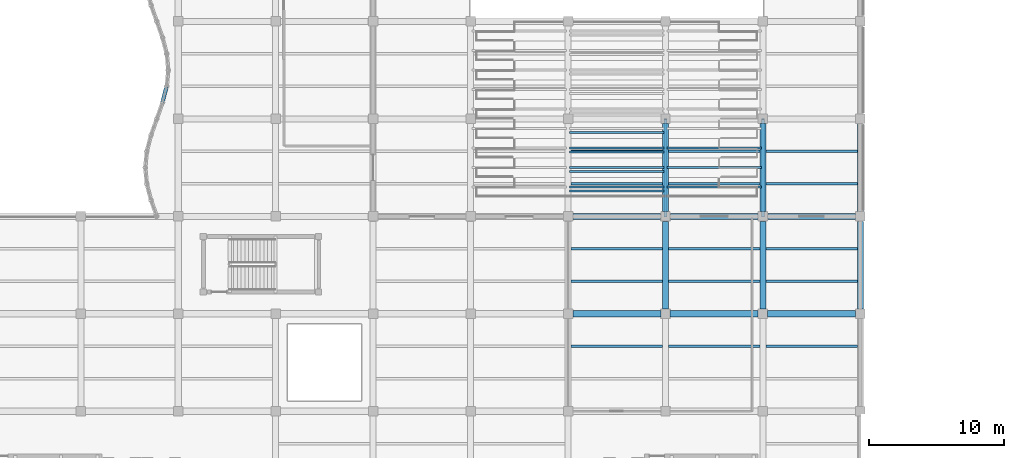
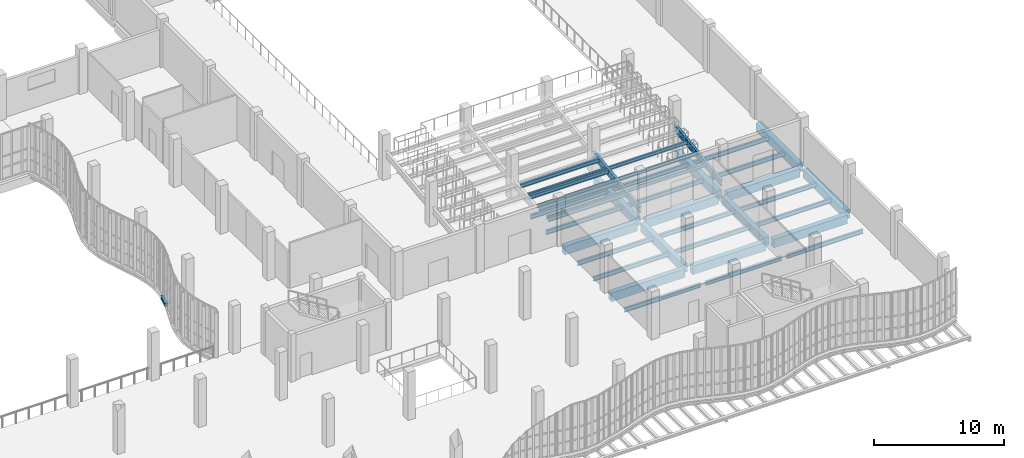
# One storey, part 40 of 108: 40 beams.
"""IFC4 building model written with IfcOpenShell, lengths in metres."""

import ifcopenshell
import ifcopenshell.guid

model = None  # the IFC model being written
_history = None  # IfcOwnerHistory: only IFC2X3 demands one
_inside = {}  # id of a spatial element -> (the spatial element, [elements in it])
_under = {}  # id of a project, library or spatial element -> (it, [spatial elements below it])
_declared = {}  # id of a project -> (the project, [libraries it declares])
_typed = {}  # id of a type object -> (the type object, [elements of that type])
_made_of = {}  # id of a material, layer set ... -> (it, [elements and type objects made of it])


def new_model(schema):
    """Start an empty IFC model of exactly this schema.

    Asked for "IFC4X3", IfcOpenShell would pick the latest addendum, in which some entities
    have other attributes; the version numbers below select the first issue.
    IFC2X3 requires an IfcOwnerHistory on every rooted entity: one is made here for all.
    """
    global model, _history
    if schema == "IFC4X3":
        model = ifcopenshell.file(schema_version=(4, 3, 0, 0))
    else:
        model = ifcopenshell.file(schema=schema)
    _inside.clear()
    _under.clear()
    _declared.clear()
    _typed.clear()
    _made_of.clear()
    _history = None
    if model.schema == "IFC2X3":
        org = make("IfcOrganization", Name="unknown")
        user = make(
            "IfcPersonAndOrganization",
            ThePerson=make("IfcPerson", FamilyName="unknown"),
            TheOrganization=org,
        )
        app = make(
            "IfcApplication",
            ApplicationDeveloper=org,
            Version="unknown",
            ApplicationFullName="unknown",
            ApplicationIdentifier="unknown",
        )
        _history = make(
            "IfcOwnerHistory",
            OwningUser=user,
            OwningApplication=app,
            ChangeAction="ADDED",
            CreationDate=0,
        )
    return model


def make(cls, **values):
    """One entity of the class cls with the attributes given. An attribute that is None is left unset."""
    return model.create_entity(
        cls, **{name: value for name, value in values.items() if value is not None}
    )


def rooted(cls, **values):
    """An entity with a GlobalId (a new one), such as an element, a storey or a relation."""
    return make(cls, GlobalId=ifcopenshell.guid.new(), OwnerHistory=_history, **values)


def si_unit(unit_type, name, prefix=None):
    """IfcSIUnit, for example si_unit("LENGTHUNIT", "METRE", prefix="MILLI")."""
    return make("IfcSIUnit", UnitType=unit_type, Prefix=prefix, Name=name)


def assignment(units):
    """IfcUnitAssignment: the units of a project."""
    return None if units is None else make("IfcUnitAssignment", Units=units)


def point(xyz):
    """IfcCartesianPoint."""
    return None if xyz is None else make("IfcCartesianPoint", Coordinates=xyz)


def direction(xyz):
    """IfcDirection."""
    return None if xyz is None else make("IfcDirection", DirectionRatios=xyz)


def frame(location, z_axis=None, x_axis=None):
    """IfcAxis2Placement3D, a coordinate frame: its origin and axes. An axis left out is left unset."""
    return make(
        "IfcAxis2Placement3D",
        Location=point(location),
        Axis=direction(z_axis),
        RefDirection=direction(x_axis),
    )


def frame_2d(location, x_axis=None):
    """IfcAxis2Placement2D, a coordinate frame in the plane: its origin and x axis."""
    return make(
        "IfcAxis2Placement2D", Location=point(location), RefDirection=direction(x_axis)
    )


def origin():
    """The frame at (0, 0, 0) with its axes left unset."""
    return frame((0.0, 0.0, 0.0))


def origin_2d():
    """The frame at (0, 0) in the plane with its x axis left unset."""
    return frame_2d((0.0, 0.0))


def place(relative_to, where):
    """IfcLocalPlacement: puts the frame where relative to a parent placement (None: the world)."""
    return make(
        "IfcLocalPlacement", PlacementRelTo=relative_to, RelativePlacement=where
    )


def context(
    kind, dimensions, precision=None, world=None, true_north=None, identifier=None
):
    """IfcGeometricRepresentationContext, for example the 3D "Model" context."""
    return make(
        "IfcGeometricRepresentationContext",
        ContextIdentifier=identifier,
        ContextType=kind,
        CoordinateSpaceDimension=dimensions,
        Precision=precision,
        WorldCoordinateSystem=world,
        TrueNorth=true_north,
    )


def subcontext(parent, identifier, kind, view, scale=None):
    """IfcGeometricRepresentationSubContext, for example "Body" below "Model"."""
    return make(
        "IfcGeometricRepresentationSubContext",
        ContextIdentifier=identifier,
        ContextType=kind,
        ParentContext=parent,
        TargetScale=scale,
        TargetView=view,
    )


def project(units=None, contexts=None):
    """IfcProject with its units and contexts."""
    return rooted(
        "IfcProject",
        Name="project",
        RepresentationContexts=contexts,
        UnitsInContext=assignment(units),
    )


def spatial(cls, under=None, at=None, **own):
    """A site, building, storey or space (cls), placed at a placement, below another one or the project."""
    s = rooted(cls, ObjectPlacement=at, **own)
    if under is not None:
        _under.setdefault(under.id(), (under, []))[1].append(s)
    return s


def profile(cls, at=None, kind="AREA", **sizes):
    """A parametric profile (cls). Its sizes go by their IFC names, for example OverallWidth=200.0."""
    return make(cls, ProfileType=kind, Position=at, **sizes)


def rectangle(**sizes):
    """IfcRectangleProfileDef."""
    return profile("IfcRectangleProfileDef", **sizes)


def i_section(**sizes):
    """IfcIShapeProfileDef."""
    return profile("IfcIShapeProfileDef", **sizes)


def extrude(swept, where, along, depth):
    """IfcExtrudedAreaSolid: the profile swept, set in the frame where, extruded along a direction by depth."""
    return make(
        "IfcExtrudedAreaSolid",
        SweptArea=swept,
        Position=where,
        ExtrudedDirection=direction(along),
        Depth=depth,
    )


def shape(context_of_items, identifier, shape_type, items):
    """IfcShapeRepresentation: the items that make up one representation, for example the "Body"."""
    return make(
        "IfcShapeRepresentation",
        ContextOfItems=context_of_items,
        RepresentationIdentifier=identifier,
        RepresentationType=shape_type,
        Items=items,
    )


def material(Name=None, Category=None):
    """IfcMaterial."""
    return make("IfcMaterial", Name=Name, Category=Category)


def material_profile(
    of_material, cross_section, Name=None, Category=None, Priority=None
):
    """IfcMaterialProfile: a cross section and its material."""
    return make(
        "IfcMaterialProfile",
        Name=Name,
        Material=of_material,
        Profile=cross_section,
        Priority=Priority,
        Category=Category,
    )


def profile_set(profiles, Name=None, composite=None):
    """IfcMaterialProfileSet."""
    return make(
        "IfcMaterialProfileSet",
        Name=Name,
        MaterialProfiles=profiles,
        CompositeProfile=composite,
    )


def made_of(thing, what):
    """Note that an element or type object is made of a material, layer set ...; save() writes the relation."""
    if what is not None:
        _made_of.setdefault(what.id(), (what, []))[1].append(thing)
    return thing


def type_object(cls, material=None, **own):
    """A type object (cls), such as IfcWallType, which elements share."""
    return made_of(rooted(cls, **own), material)


def element(
    cls,
    number,
    at=None,
    inside=None,
    cuts=None,
    type_object=None,
    material=None,
    context=None,
    identifier="Body",
    shape_type=None,
    held_by="IfcProductDefinitionShape",
    body=None,
    shapes=None,
    **own,
):
    """One element of the class cls, such as IfcWall. Its Tag is "e" and its number.

    at: its placement. inside: the storey or other place that contains it. cuts: it is an
    opening in that element (IfcRelVoidsElement). A single representation is given by context,
    identifier, shape_type and body (its items); several are given by shapes. held_by: the class
    of the entity that holds the representations. save() writes the other relations.
    """
    e = rooted(cls, Tag="e%d" % number, ObjectPlacement=at, **own)
    if body is not None:
        shapes = [shape(context, identifier, shape_type, body)]
    if shapes is not None:
        e.Representation = make(held_by, Representations=shapes)
    if inside is not None:
        _inside.setdefault(inside.id(), (inside, []))[1].append(e)
    if cuts is not None:
        rooted(
            "IfcRelVoidsElement", RelatingBuildingElement=cuts, RelatedOpeningElement=e
        )
    if type_object is not None:
        _typed.setdefault(type_object.id(), (type_object, []))[1].append(e)
    return made_of(e, material)


def aggregate(whole, parts):
    """IfcRelAggregates: a whole, such as a stair, and the parts it consists of."""
    return rooted("IfcRelAggregates", RelatingObject=whole, RelatedObjects=parts)


def save(model, path):
    """Write the relations noted so far, then the file.

    IfcRelAggregates (storeys below a building ...), IfcRelContainedInSpatialStructure (elements
    in a storey), IfcRelDefinesByType, IfcRelAssociatesMaterial and IfcRelDeclares: one each for
    every whole, place, type object, material and project.
    """
    for whole, parts in _under.values():
        aggregate(whole, parts)
    for where, things in _inside.values():
        rooted(
            "IfcRelContainedInSpatialStructure",
            RelatedElements=things,
            RelatingStructure=where,
        )
    for kind, things in _typed.values():
        rooted("IfcRelDefinesByType", RelatedObjects=things, RelatingType=kind)
    for what, things in _made_of.values():
        rooted("IfcRelAssociatesMaterial", RelatedObjects=things, RelatingMaterial=what)
    for by, libraries in _declared.values():
        rooted("IfcRelDeclares", RelatingContext=by, RelatedDefinitions=libraries)
    model.write(path)


model = new_model("IFC4")

# Units and contexts
model_context = context("Model", 3, precision=1e-05, world=origin(), true_north=direction((0.0, 1.0)))
body_context = subcontext(model_context, "Body", "Model", "MODEL_VIEW")
ifc_project = project(units=[si_unit("LENGTHUNIT", "METRE"), si_unit("AREAUNIT", "SQUARE_METRE"), si_unit("VOLUMEUNIT", "CUBIC_METRE"), si_unit("PLANEANGLEUNIT", "RADIAN"), si_unit("MASSUNIT", "GRAM", prefix="KILO"), si_unit("THERMODYNAMICTEMPERATUREUNIT", "KELVIN"), si_unit("POWERUNIT", "WATT")], contexts=[model_context])

# Site, building, storey
site_placement = place(None, origin())
site = spatial("IfcSite", under=ifc_project, at=site_placement, CompositionType="ELEMENT")
building_placement = place(site_placement, origin())
building = spatial("IfcBuilding", under=site, at=building_placement, Name="Kaldorven Railside Theatre", CompositionType="ELEMENT")
storey_placement = place(building_placement, frame((0.0, 0.0, 5.39990234375)))
storey = spatial("IfcBuildingStorey", under=building, at=storey_placement, Name="L01", CompositionType="ELEMENT", Elevation=5.39990234375)

# Beams
ifc_material_1 = material(Name="Steel S355", Category="steel")
ifc_material_profile_1 = material_profile(ifc_material_1, i_section(OverallWidth=0.280029296875, OverallDepth=0.280029296875, WebThickness=0.010498046875, FlangeThickness=0.01806640625, at=origin_2d()), Name="HEB 280")
ifc_profile_set_1 = profile_set([ifc_material_profile_1], Name="Steel S355")
beam_type_1 = type_object("IfcBeamType", Name="BM-HEB280", PredefinedType="SPANDREL", material=ifc_profile_set_1)
beam_1_placement = place(storey_placement, frame((71.62890625, 49.214599609375, -0.419921875), z_axis=(0.250885106576, 0.968016871391, 0.0), x_axis=(-0.968016871391, 0.250885106576, 0.0)))
element("IfcBeam", 1, at=beam_1_placement, inside=storey, type_object=beam_type_1, Name="L01 Sinusoidal Flute Edge Spandrel FSB-224", PredefinedType="SPANDREL", context=body_context, shape_type="SweptSolid", body=[
    extrude(i_section(OverallWidth=0.280029296875, OverallDepth=0.280029296875, WebThickness=0.010498046875, FlangeThickness=0.01806640625, at=origin_2d()), origin(), (0.0, 0.0, 1.0), 1.20947265625),
])
ifc_material_profile_2 = material_profile(ifc_material_1, i_section(OverallWidth=0.14990234375, OverallDepth=0.300048828125, WebThickness=0.007080078125, FlangeThickness=0.0107421875, at=origin_2d()), Name="IPE 300")
ifc_profile_set_2 = profile_set([ifc_material_profile_2], Name="Steel S355")
beam_type_2 = type_object("IfcBeamType", Name="BM-IPE300", PredefinedType="JOIST", material=ifc_profile_set_2)
for number, where, z_axis, x_axis, name in (
    (2, (101.7099609375, 42.9599609375, 1.080078125), (1.0, 0.0, 0.0), (0.0, 1.0, 0.0), "Seating Tier Transverse Bearer TBR-V1D-022"),
    (3, (108.909912109375, 42.9599609375, 1.080078125), (1.0, 0.0, 0.0), (0.0, 1.0, 0.0), "Seating Tier Transverse Bearer TBR-V1D-023"),
    (4, (101.7099609375, 44.39990234375, 1.260009765625), (1.0, 0.0, 0.0), (0.0, 1.0, 0.0), "Seating Tier Transverse Bearer TBR-V1D-032"),
    (5, (108.909912109375, 44.39990234375, 1.260009765625), (1.0, 0.0, 0.0), (0.0, 1.0, 0.0), "Seating Tier Transverse Bearer TBR-V1D-033"),
    (6, (101.7099609375, 45.840087890625, 1.440185546875), (1.0, 0.0, 0.0), (0.0, 1.0, 0.0), "Seating Tier Transverse Bearer TBR-V1D-042"),
    (7, (108.909912109375, 45.840087890625, 1.440185546875), (1.0, 0.0, 0.0), (0.0, 1.0, 0.0), "Seating Tier Transverse Bearer TBR-V1D-043"),
):
    element("IfcBeam", number, at=place(storey_placement, frame(where, z_axis=z_axis, x_axis=x_axis)), inside=storey, type_object=beam_type_2, Name=name, PredefinedType="JOIST", context=body_context, shape_type="SweptSolid", body=[
        extrude(i_section(OverallWidth=0.14990234375, OverallDepth=0.300048828125, WebThickness=0.007080078125, FlangeThickness=0.0107421875, at=origin_2d()), origin(), (0.0, 0.0, 1.0), 6.97998046875),
    ])
ifc_material_profile_3 = material_profile(ifc_material_1, i_section(OverallWidth=0.169921875, OverallDepth=0.360107421875, WebThickness=0.008056640625, FlangeThickness=0.0126953125, at=origin_2d()), Name="IPE 360")
ifc_profile_set_3 = profile_set([ifc_material_profile_3], Name="Steel S355")
beam_type_3 = type_object("IfcBeamType", Name="BM-IPE360", PredefinedType="JOIST", material=ifc_profile_set_3)
for number, where, z_axis, x_axis, name in (
    (8, (101.7099609375, 42.672119140625, 1.050048828125), (1.0, 0.0, 0.0), (0.0, 1.0, 0.0), "Seating Tier Front Step Bearer TBF-V1D-02"),
    (9, (101.7099609375, 44.112060546875, 1.22998046875), (1.0, 0.0, 0.0), (0.0, 1.0, 0.0), "Seating Tier Front Step Bearer TBF-V1D-03"),
    (10, (101.7099609375, 45.552001953125, 1.41015625), (1.0, 0.0, 0.0), (0.0, 1.0, 0.0), "Seating Tier Front Step Bearer TBF-V1D-04"),
    (11, (101.7099609375, 46.991943359375, 1.590087890625), (1.0, 0.0, 0.0), (0.0, 1.0, 0.0), "Seating Tier Front Step Bearer TBF-V1D-05"),
):
    element("IfcBeam", number, at=place(storey_placement, frame(where, z_axis=z_axis, x_axis=x_axis)), inside=storey, type_object=beam_type_3, Name=name, PredefinedType="JOIST", context=body_context, shape_type="SweptSolid", body=[
        extrude(i_section(OverallWidth=0.169921875, OverallDepth=0.360107421875, WebThickness=0.008056640625, FlangeThickness=0.0126953125, at=origin_2d()), origin(), (0.0, 0.0, 1.0), 6.97998046875),
    ])
ifc_material_profile_4 = material_profile(ifc_material_1, i_section(OverallWidth=0.179931640625, OverallDepth=0.39990234375, WebThickness=0.008544921875, FlangeThickness=0.013427734375, at=origin_2d()), Name="IPE 400")
ifc_profile_set_4 = profile_set([ifc_material_profile_4], Name="Steel S355")
beam_type_4 = type_object("IfcBeamType", Name="BM-IPE400", PredefinedType="JOIST", material=ifc_profile_set_4)
for number, where, z_axis, x_axis, name in (
    (12, (101.824951171875, 31.199951171875, -0.5), (1.0, 0.0, 0.0), (0.0, 1.0, 0.0), "L01 Secondary Floor Joist JG-L01-101-0312"),
    (13, (109.02490234375, 31.199951171875, -0.5), (1.0, 0.0, 0.0), (0.0, 1.0, 0.0), "L01 Secondary Floor Joist JG-L01-108-0312"),
    (14, (116.22509765625, 31.199951171875, -0.5), (1.0, 0.0, 0.0), (0.0, 1.0, 0.0), "L01 Secondary Floor Joist JG-L01-116-0312"),
    (15, (101.824951171875, 36.0, -0.5), (1.0, 0.0, 0.0), (0.0, 1.0, 0.0), "L01 Secondary Floor Joist JG-L01-101-0360"),
    (16, (101.824951171875, 38.39990234375, -0.5), (1.0, 0.0, 0.0), (0.0, 1.0, 0.0), "L01 Secondary Floor Joist JG-L01-101-0384"),
    (17, (109.02490234375, 36.0, -0.5), (1.0, 0.0, 0.0), (0.0, 1.0, 0.0), "L01 Secondary Floor Joist JG-L01-108-0360"),
    (18, (109.02490234375, 38.39990234375, -0.5), (1.0, 0.0, 0.0), (0.0, 1.0, 0.0), "L01 Secondary Floor Joist JG-L01-108-0384"),
    (19, (116.22509765625, 36.0, -0.5), (1.0, 0.0, 0.0), (0.0, 1.0, 0.0), "L01 Secondary Floor Joist JG-L01-116-0360"),
    (20, (116.22509765625, 38.39990234375, -0.5), (1.0, 0.0, 0.0), (0.0, 1.0, 0.0), "L01 Secondary Floor Joist JG-L01-116-0384"),
    (21, (101.824951171875, 43.199951171875, -0.5), (1.0, 0.0, 0.0), (0.0, 1.0, 0.0), "L01 Secondary Floor Joist JG-L01-101-0432"),
    (22, (101.824951171875, 45.60009765625, -0.5), (1.0, 0.0, 0.0), (0.0, 1.0, 0.0), "L01 Secondary Floor Joist JG-L01-101-0456"),
    (23, (109.02490234375, 43.199951171875, -0.5), (1.0, 0.0, 0.0), (0.0, 1.0, 0.0), "L01 Secondary Floor Joist JG-L01-108-0432"),
    (24, (109.02490234375, 45.60009765625, -0.5), (1.0, 0.0, 0.0), (0.0, 1.0, 0.0), "L01 Secondary Floor Joist JG-L01-108-0456"),
    (25, (116.22509765625, 43.199951171875, -0.5), (1.0, 0.0, 0.0), (0.0, 1.0, 0.0), "L01 Secondary Floor Joist JG-L01-116-0432"),
    (26, (116.22509765625, 45.60009765625, -0.5), (1.0, 0.0, 0.0), (0.0, 1.0, 0.0), "L01 Secondary Floor Joist JG-L01-116-0456"),
):
    element("IfcBeam", number, at=place(storey_placement, frame(where, z_axis=z_axis, x_axis=x_axis)), inside=storey, type_object=beam_type_4, Name=name, PredefinedType="JOIST", context=body_context, shape_type="SweptSolid", body=[
        extrude(i_section(OverallWidth=0.179931640625, OverallDepth=0.39990234375, WebThickness=0.008544921875, FlangeThickness=0.013427734375, at=origin_2d()), origin(), (0.0, 0.0, 1.0), 6.75),
    ])
ifc_material_profile_5 = material_profile(ifc_material_1, i_section(OverallWidth=0.219970703125, OverallDepth=0.60009765625, WebThickness=0.011962890625, FlangeThickness=0.01904296875, at=origin_2d()), Name="IPE 600")
ifc_profile_set_5 = profile_set([ifc_material_profile_5], Name="Steel S355")
beam_type_5 = type_object("IfcBeamType", Name="BM-IPE600", PredefinedType="USERDEFINED", material=ifc_profile_set_5)
for number, where, z_axis, x_axis, name in (
    (27, (108.800048828125, 40.800048828125, 0.6201171875), (0.0, 0.992279429568, 0.124022311125), (-1.0, 0.0, 0.0), "Auditorium Raker Girder RKG-V1D-31"),
    (28, (116.0, 40.800048828125, 0.6201171875), (0.0, 0.992279429568, 0.124022311125), (-1.0, 0.0, 0.0), "Auditorium Raker Girder RKG-V1D-41"),
):
    element("IfcBeam", number, at=place(storey_placement, frame(where, z_axis=z_axis, x_axis=x_axis)), inside=storey, type_object=beam_type_5, Name=name, ObjectType="RAKER BEAM", PredefinedType="USERDEFINED", context=body_context, shape_type="SweptSolid", body=[
        extrude(i_section(OverallWidth=0.219970703125, OverallDepth=0.60009765625, WebThickness=0.011962890625, FlangeThickness=0.01904296875, at=origin_2d()), origin(), (0.0, 0.0, 1.0), 7.255859375),
    ])
ifc_material_2 = material(Name="Concrete C40/50", Category="concrete")
ifc_material_profile_6 = material_profile(ifc_material_2, rectangle(XDim=0.449951171875, YDim=0.800048828125, at=origin_2d()), Name="RC 450x800")
ifc_profile_set_6 = profile_set([ifc_material_profile_6], Name="Concrete C40/50")
beam_type_6 = type_object("IfcBeamType", Name="BM-RC450x800", PredefinedType="BEAM", material=ifc_profile_set_6)
for number, where, z_axis, x_axis, name in (
    (29, (101.949951171875, 33.60009765625, -0.699951171875), (1.0, 0.0, 0.0), (0.0, 1.0, 0.0), "L01 Girder BGX-L01-101-033"),
    (30, (109.14990234375, 33.60009765625, -0.699951171875), (1.0, 0.0, 0.0), (0.0, 1.0, 0.0), "L01 Girder BGX-L01-108-033"),
):
    element("IfcBeam", number, at=place(storey_placement, frame(where, z_axis=z_axis, x_axis=x_axis)), inside=storey, type_object=beam_type_6, Name=name, PredefinedType="BEAM", context=body_context, shape_type="SweptSolid", body=[
        extrude(rectangle(XDim=0.449951171875, YDim=0.800048828125, at=origin_2d()), origin(), (0.0, 0.0, 1.0), 6.5),
    ])
beam_2_placement = place(storey_placement, frame((108.800048828125, 33.949951171875, -0.699951171875), z_axis=(0.0, 1.0, 0.0), x_axis=(-1.0, 0.0, 0.0)))
element("IfcBeam", 31, at=beam_2_placement, inside=storey, type_object=beam_type_6, Name="L01 Girder BGY-L01-108-033-72", PredefinedType="BEAM", context=body_context, shape_type="SweptSolid", body=[
    extrude(rectangle(XDim=0.449951171875, YDim=0.800048828125, at=origin_2d()), origin(), (0.0, 0.0, 1.0), 6.47509765625),
])
beam_3_placement = place(storey_placement, frame((116.35009765625, 33.60009765625, -0.699951171875), z_axis=(1.0, 0.0, 0.0), x_axis=(0.0, 1.0, 0.0)))
element("IfcBeam", 32, at=beam_3_placement, inside=storey, type_object=beam_type_6, Name="L01 Girder BGX-L01-116-033", PredefinedType="BEAM", context=body_context, shape_type="SweptSolid", body=[
    extrude(rectangle(XDim=0.449951171875, YDim=0.800048828125, at=origin_2d()), origin(), (0.0, 0.0, 1.0), 6.5),
])
for number, where, z_axis, x_axis, name in (
    (33, (116.0, 33.949951171875, -0.699951171875), (0.0, 1.0, 0.0), (-1.0, 0.0, 0.0), "L01 Girder BGY-L01-116-033-72"),
    (34, (123.199951171875, 33.949951171875, -0.699951171875), (0.0, 1.0, 0.0), (-1.0, 0.0, 0.0), "L01 Girder BGY-L01-123-033-72"),
):
    element("IfcBeam", number, at=place(storey_placement, frame(where, z_axis=z_axis, x_axis=x_axis)), inside=storey, type_object=beam_type_6, Name=name, PredefinedType="BEAM", context=body_context, shape_type="SweptSolid", body=[
        extrude(rectangle(XDim=0.449951171875, YDim=0.800048828125, at=origin_2d()), origin(), (0.0, 0.0, 1.0), 6.47509765625),
    ])
for number, where, z_axis, x_axis, name in (
    (35, (101.97509765625, 40.800048828125, -0.699951171875), (1.0, 0.0, 0.0), (0.0, 1.0, 0.0), "L01 Girder BGX-L01-101-040"),
    (36, (109.175048828125, 40.800048828125, -0.699951171875), (1.0, 0.0, 0.0), (0.0, 1.0, 0.0), "L01 Girder BGX-L01-108-040"),
):
    element("IfcBeam", number, at=place(storey_placement, frame(where, z_axis=z_axis, x_axis=x_axis)), inside=storey, type_object=beam_type_6, Name=name, PredefinedType="BEAM", context=body_context, shape_type="SweptSolid", body=[
        extrude(rectangle(XDim=0.449951171875, YDim=0.800048828125, at=origin_2d()), origin(), (0.0, 0.0, 1.0), 6.449951171875),
    ])
beam_4_placement = place(storey_placement, frame((108.800048828125, 41.175048828125, -0.699951171875), z_axis=(0.0, 1.0, 0.0), x_axis=(-1.0, 0.0, 0.0)))
element("IfcBeam", 37, at=beam_4_placement, inside=storey, type_object=beam_type_6, Name="L01 Girder BGY-L01-108-040-72", PredefinedType="BEAM", context=body_context, shape_type="SweptSolid", body=[
    extrude(rectangle(XDim=0.449951171875, YDim=0.800048828125, at=origin_2d()), origin(), (0.0, 0.0, 1.0), 6.474853515625),
])
beam_5_placement = place(storey_placement, frame((116.375, 40.800048828125, -0.699951171875), z_axis=(1.0, 0.0, 0.0), x_axis=(0.0, 1.0, 0.0)))
element("IfcBeam", 38, at=beam_5_placement, inside=storey, type_object=beam_type_6, Name="L01 Girder BGX-L01-116-040", PredefinedType="BEAM", context=body_context, shape_type="SweptSolid", body=[
    extrude(rectangle(XDim=0.449951171875, YDim=0.800048828125, at=origin_2d()), origin(), (0.0, 0.0, 1.0), 6.449951171875),
])
beam_6_placement = place(storey_placement, frame((116.0, 41.175048828125, -0.699951171875), z_axis=(0.0, 1.0, 0.0), x_axis=(-1.0, 0.0, 0.0)))
element("IfcBeam", 39, at=beam_6_placement, inside=storey, type_object=beam_type_6, Name="L01 Girder BGY-L01-116-040-72", PredefinedType="BEAM", context=body_context, shape_type="SweptSolid", body=[
    extrude(rectangle(XDim=0.449951171875, YDim=0.800048828125, at=origin_2d()), origin(), (0.0, 0.0, 1.0), 6.474853515625),
])
beam_7_placement = place(storey_placement, frame((123.199951171875, 41.175048828125, -0.699951171875), z_axis=(0.0, 1.0, 0.0), x_axis=(-1.0, 0.0, 0.0)))
element("IfcBeam", 40, at=beam_7_placement, inside=storey, type_object=beam_type_6, Name="L01 Girder BGY-L01-123-040-72", PredefinedType="BEAM", context=body_context, shape_type="SweptSolid", body=[
    extrude(rectangle(XDim=0.449951171875, YDim=0.800048828125, at=origin_2d()), origin(), (0.0, 0.0, 1.0), 6.449951171875),
])

save(model, "model.ifc")
